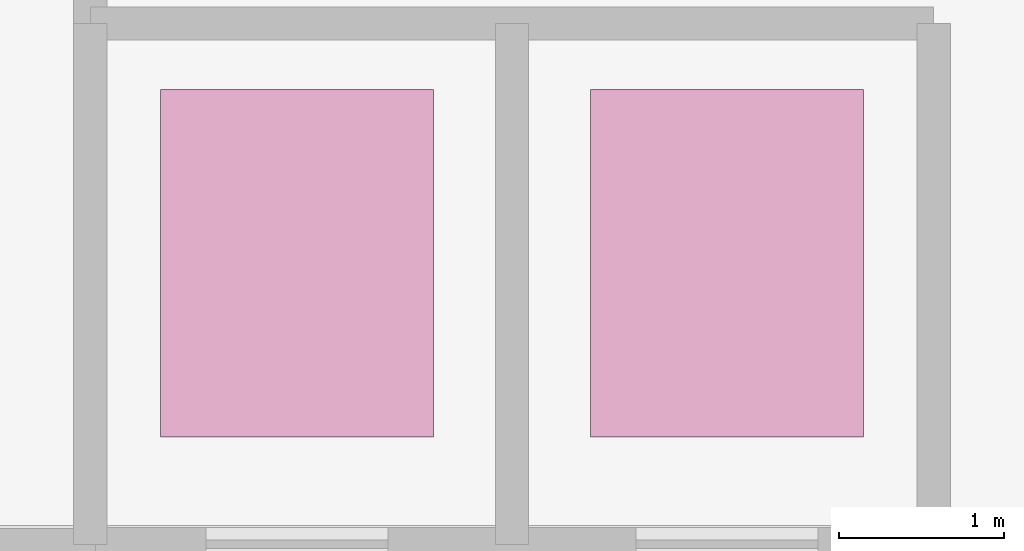
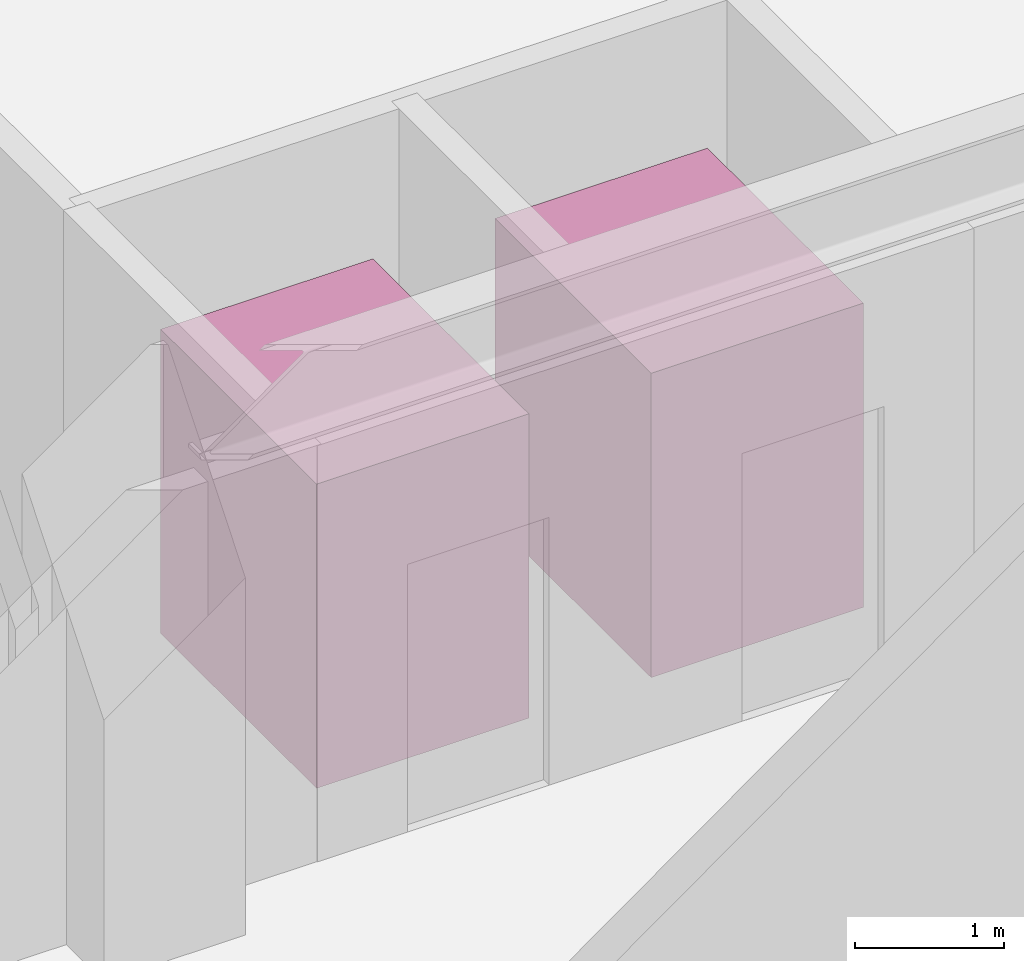
# One storey, part 11 of 11: 2 transport elements.
"""IFC4 building model written with IfcOpenShell, lengths in metres."""

import ifcopenshell
import ifcopenshell.guid

model = None  # the IFC model being written
_history = None  # IfcOwnerHistory: only IFC2X3 demands one
_inside = {}  # id of a spatial element -> (the spatial element, [elements in it])
_under = {}  # id of a project, library or spatial element -> (it, [spatial elements below it])
_declared = {}  # id of a project -> (the project, [libraries it declares])
_typed = {}  # id of a type object -> (the type object, [elements of that type])
_made_of = {}  # id of a material, layer set ... -> (it, [elements and type objects made of it])


def new_model(schema):
    """Start an empty IFC model of exactly this schema.

    Asked for "IFC4X3", IfcOpenShell would pick the latest addendum, in which some entities
    have other attributes; the version numbers below select the first issue.
    IFC2X3 requires an IfcOwnerHistory on every rooted entity: one is made here for all.
    """
    global model, _history
    if schema == "IFC4X3":
        model = ifcopenshell.file(schema_version=(4, 3, 0, 0))
    else:
        model = ifcopenshell.file(schema=schema)
    _inside.clear()
    _under.clear()
    _declared.clear()
    _typed.clear()
    _made_of.clear()
    _history = None
    if model.schema == "IFC2X3":
        org = make("IfcOrganization", Name="unknown")
        user = make(
            "IfcPersonAndOrganization",
            ThePerson=make("IfcPerson", FamilyName="unknown"),
            TheOrganization=org,
        )
        app = make(
            "IfcApplication",
            ApplicationDeveloper=org,
            Version="unknown",
            ApplicationFullName="unknown",
            ApplicationIdentifier="unknown",
        )
        _history = make(
            "IfcOwnerHistory",
            OwningUser=user,
            OwningApplication=app,
            ChangeAction="ADDED",
            CreationDate=0,
        )
    return model


def make(cls, **values):
    """One entity of the class cls with the attributes given. An attribute that is None is left unset."""
    return model.create_entity(
        cls, **{name: value for name, value in values.items() if value is not None}
    )


def rooted(cls, **values):
    """An entity with a GlobalId (a new one), such as an element, a storey or a relation."""
    return make(cls, GlobalId=ifcopenshell.guid.new(), OwnerHistory=_history, **values)


def si_unit(unit_type, name, prefix=None):
    """IfcSIUnit, for example si_unit("LENGTHUNIT", "METRE", prefix="MILLI")."""
    return make("IfcSIUnit", UnitType=unit_type, Prefix=prefix, Name=name)


def assignment(units):
    """IfcUnitAssignment: the units of a project."""
    return None if units is None else make("IfcUnitAssignment", Units=units)


def point(xyz):
    """IfcCartesianPoint."""
    return None if xyz is None else make("IfcCartesianPoint", Coordinates=xyz)


def direction(xyz):
    """IfcDirection."""
    return None if xyz is None else make("IfcDirection", DirectionRatios=xyz)


def frame(location, z_axis=None, x_axis=None):
    """IfcAxis2Placement3D, a coordinate frame: its origin and axes. An axis left out is left unset."""
    return make(
        "IfcAxis2Placement3D",
        Location=point(location),
        Axis=direction(z_axis),
        RefDirection=direction(x_axis),
    )


def frame_2d(location, x_axis=None):
    """IfcAxis2Placement2D, a coordinate frame in the plane: its origin and x axis."""
    return make(
        "IfcAxis2Placement2D", Location=point(location), RefDirection=direction(x_axis)
    )


def origin():
    """The frame at (0, 0, 0) with its axes left unset."""
    return frame((0.0, 0.0, 0.0))


def origin_2d():
    """The frame at (0, 0) in the plane with its x axis left unset."""
    return frame_2d((0.0, 0.0))


def place(relative_to, where):
    """IfcLocalPlacement: puts the frame where relative to a parent placement (None: the world)."""
    return make(
        "IfcLocalPlacement", PlacementRelTo=relative_to, RelativePlacement=where
    )


def context(
    kind, dimensions, precision=None, world=None, true_north=None, identifier=None
):
    """IfcGeometricRepresentationContext, for example the 3D "Model" context."""
    return make(
        "IfcGeometricRepresentationContext",
        ContextIdentifier=identifier,
        ContextType=kind,
        CoordinateSpaceDimension=dimensions,
        Precision=precision,
        WorldCoordinateSystem=world,
        TrueNorth=true_north,
    )


def subcontext(parent, identifier, kind, view, scale=None):
    """IfcGeometricRepresentationSubContext, for example "Body" below "Model"."""
    return make(
        "IfcGeometricRepresentationSubContext",
        ContextIdentifier=identifier,
        ContextType=kind,
        ParentContext=parent,
        TargetScale=scale,
        TargetView=view,
    )


def project(units=None, contexts=None):
    """IfcProject with its units and contexts."""
    return rooted(
        "IfcProject",
        Name="project",
        RepresentationContexts=contexts,
        UnitsInContext=assignment(units),
    )


def spatial(cls, under=None, at=None, **own):
    """A site, building, storey or space (cls), placed at a placement, below another one or the project."""
    s = rooted(cls, ObjectPlacement=at, **own)
    if under is not None:
        _under.setdefault(under.id(), (under, []))[1].append(s)
    return s


def profile(cls, at=None, kind="AREA", **sizes):
    """A parametric profile (cls). Its sizes go by their IFC names, for example OverallWidth=200.0."""
    return make(cls, ProfileType=kind, Position=at, **sizes)


def rectangle(**sizes):
    """IfcRectangleProfileDef."""
    return profile("IfcRectangleProfileDef", **sizes)


def extrude(swept, where, along, depth):
    """IfcExtrudedAreaSolid: the profile swept, set in the frame where, extruded along a direction by depth."""
    return make(
        "IfcExtrudedAreaSolid",
        SweptArea=swept,
        Position=where,
        ExtrudedDirection=direction(along),
        Depth=depth,
    )


def shape(context_of_items, identifier, shape_type, items):
    """IfcShapeRepresentation: the items that make up one representation, for example the "Body"."""
    return make(
        "IfcShapeRepresentation",
        ContextOfItems=context_of_items,
        RepresentationIdentifier=identifier,
        RepresentationType=shape_type,
        Items=items,
    )


def material(Name=None, Category=None):
    """IfcMaterial."""
    return make("IfcMaterial", Name=Name, Category=Category)


def made_of(thing, what):
    """Note that an element or type object is made of a material, layer set ...; save() writes the relation."""
    if what is not None:
        _made_of.setdefault(what.id(), (what, []))[1].append(thing)
    return thing


def type_object(cls, material=None, **own):
    """A type object (cls), such as IfcWallType, which elements share."""
    return made_of(rooted(cls, **own), material)


def element(
    cls,
    number,
    at=None,
    inside=None,
    cuts=None,
    type_object=None,
    material=None,
    context=None,
    identifier="Body",
    shape_type=None,
    held_by="IfcProductDefinitionShape",
    body=None,
    shapes=None,
    **own,
):
    """One element of the class cls, such as IfcWall. Its Tag is "e" and its number.

    at: its placement. inside: the storey or other place that contains it. cuts: it is an
    opening in that element (IfcRelVoidsElement). A single representation is given by context,
    identifier, shape_type and body (its items); several are given by shapes. held_by: the class
    of the entity that holds the representations. save() writes the other relations.
    """
    e = rooted(cls, Tag="e%d" % number, ObjectPlacement=at, **own)
    if body is not None:
        shapes = [shape(context, identifier, shape_type, body)]
    if shapes is not None:
        e.Representation = make(held_by, Representations=shapes)
    if inside is not None:
        _inside.setdefault(inside.id(), (inside, []))[1].append(e)
    if cuts is not None:
        rooted(
            "IfcRelVoidsElement", RelatingBuildingElement=cuts, RelatedOpeningElement=e
        )
    if type_object is not None:
        _typed.setdefault(type_object.id(), (type_object, []))[1].append(e)
    return made_of(e, material)


def aggregate(whole, parts):
    """IfcRelAggregates: a whole, such as a stair, and the parts it consists of."""
    return rooted("IfcRelAggregates", RelatingObject=whole, RelatedObjects=parts)


def save(model, path):
    """Write the relations noted so far, then the file.

    IfcRelAggregates (storeys below a building ...), IfcRelContainedInSpatialStructure (elements
    in a storey), IfcRelDefinesByType, IfcRelAssociatesMaterial and IfcRelDeclares: one each for
    every whole, place, type object, material and project.
    """
    for whole, parts in _under.values():
        aggregate(whole, parts)
    for where, things in _inside.values():
        rooted(
            "IfcRelContainedInSpatialStructure",
            RelatedElements=things,
            RelatingStructure=where,
        )
    for kind, things in _typed.values():
        rooted("IfcRelDefinesByType", RelatedObjects=things, RelatingType=kind)
    for what, things in _made_of.values():
        rooted("IfcRelAssociatesMaterial", RelatedObjects=things, RelatingMaterial=what)
    for by, libraries in _declared.values():
        rooted("IfcRelDeclares", RelatingContext=by, RelatedDefinitions=libraries)
    model.write(path)


model = new_model("IFC4")

# Units and contexts
model_context = context("Model", 3, precision=1e-05, world=origin(), true_north=direction((0.0, 1.0)))
body_context = subcontext(model_context, "Body", "Model", "MODEL_VIEW")
ifc_project = project(units=[si_unit("LENGTHUNIT", "METRE"), si_unit("AREAUNIT", "SQUARE_METRE"), si_unit("VOLUMEUNIT", "CUBIC_METRE"), si_unit("PLANEANGLEUNIT", "RADIAN"), si_unit("MASSUNIT", "GRAM", prefix="KILO")], contexts=[model_context])

# Site, building, storey
site_placement = place(None, origin())
site = spatial("IfcSite", under=ifc_project, at=site_placement, CompositionType="ELEMENT")
building_placement = place(site_placement, origin())
building = spatial("IfcBuilding", under=site, at=building_placement, Name="Sarneth Arch Tower", CompositionType="ELEMENT")
storey_placement = place(building_placement, frame((0.0, 0.0, -4.5)))
storey = spatial("IfcBuildingStorey", under=building, at=storey_placement, Name="B01", CompositionType="ELEMENT", Elevation=-4.5)

# Transport elements
ifc_material = material(Name="Stainless Steel 304 podium passenger lift car", Category="steel")
transport_element_type = type_object("IfcTransportElementType", Name="LIFT-POD-1350", PredefinedType="ELEVATOR", material=ifc_material)
for number, where, z_axis, x_axis, name in (
    (1, (22.64990234375, 65.550048828125, 0.0), (0.0, 0.0, 1.0), (1.0, 0.0, 0.0), "Elevator PP-1"),
    (2, (25.25, 65.550048828125, 0.0), (0.0, 0.0, 1.0), (1.0, 0.0, 0.0), "Elevator PP-2"),
):
    element("IfcTransportElement", number, at=place(storey_placement, frame(where, z_axis=z_axis, x_axis=x_axis)), inside=storey, type_object=transport_element_type, Name=name, PredefinedType="ELEVATOR", context=body_context, shape_type="SweptSolid", body=[
        extrude(rectangle(XDim=1.64990234375, YDim=2.10009765625, at=origin_2d()), origin(), (0.0, 0.0, 1.0), 2.5),
    ])

save(model, "model.ifc")
